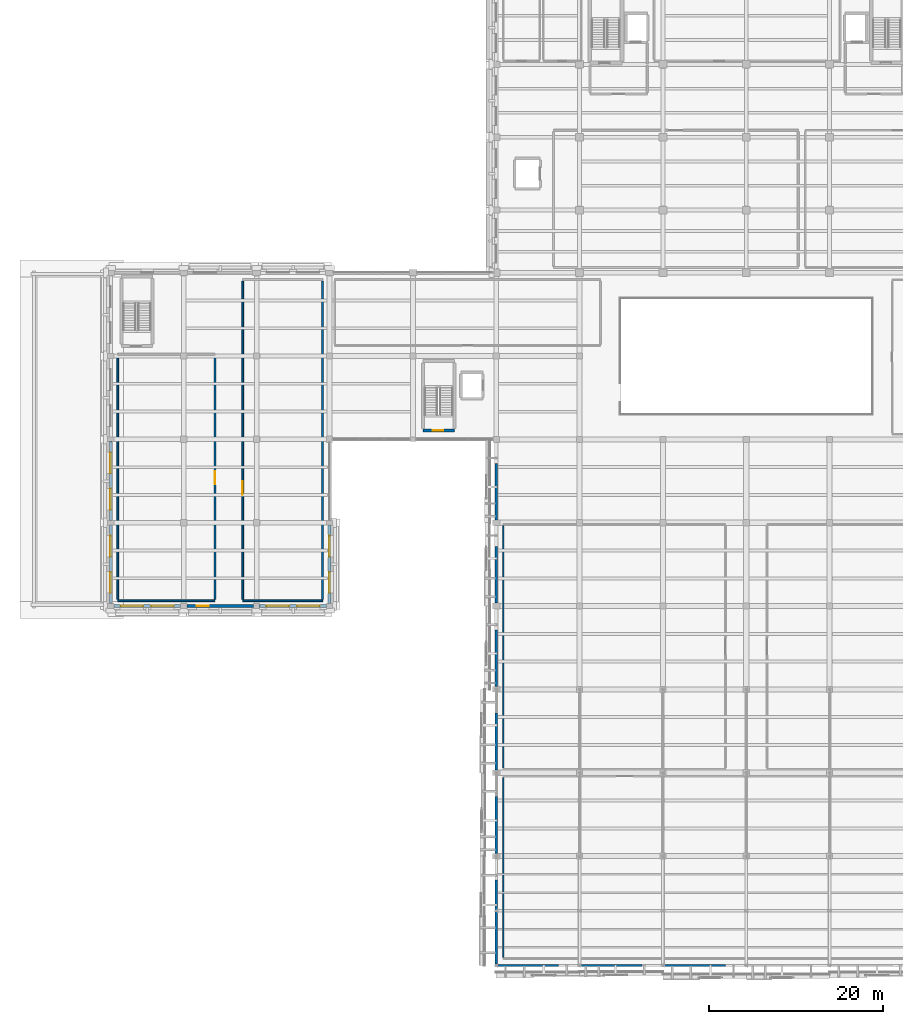
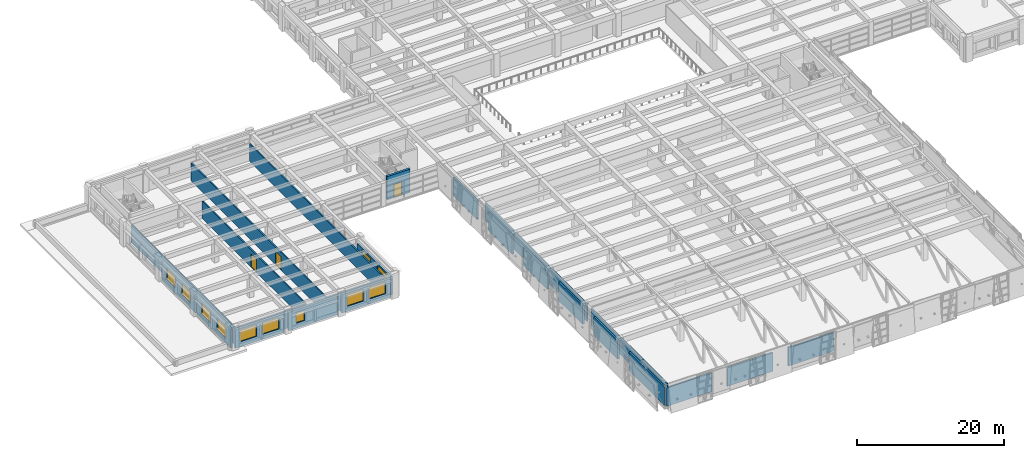
# One storey, part 43 of 62: 24 walls, 11 windows, 3 doors, 14 openings.
"""IFC4 building model written with IfcOpenShell, lengths in metres."""

from ifc_helpers import new_model, si_unit, direction, frame, frame_2d, origin, place, context, subcontext, project, spatial, rectangle, extrude, material, layer, layer_set, type_object, element, fill, save


model = new_model("IFC4")

# Units and contexts
model_context = context("Model", 3, precision=1e-05, world=origin(), true_north=direction((0.0, 1.0)))
body_context = subcontext(model_context, "Body", "Model", "MODEL_VIEW")
ifc_project = project(units=[si_unit("LENGTHUNIT", "METRE"), si_unit("AREAUNIT", "SQUARE_METRE"), si_unit("VOLUMEUNIT", "CUBIC_METRE"), si_unit("PLANEANGLEUNIT", "RADIAN"), si_unit("MASSUNIT", "GRAM", prefix="KILO")], contexts=[model_context])

# Site, building, storey
site_placement = place(None, origin())
site = spatial("IfcSite", under=ifc_project, at=site_placement, CompositionType="ELEMENT")
building_placement = place(site_placement, origin())
building = spatial("IfcBuilding", under=site, at=building_placement, Name="Bempovik Park Faculty of Sciences", CompositionType="ELEMENT")
storey_placement = place(building_placement, frame((0.0, 0.0, 9.89990234375)))
storey = spatial("IfcBuildingStorey", under=building, at=storey_placement, Name="L02", CompositionType="ELEMENT", Elevation=9.89990234375)

# Walls
ifc_material_1 = material(Name="Precast concrete C40/50", Category="concrete")
ifc_layer_1 = layer(ifc_material_1, 0.280029296875)
ifc_layer_set_1 = layer_set([ifc_layer_1], Name="Precast concrete C40/50")
wall_type_1 = type_object("IfcWallType", Name="W-25 Wall 280mm", PredefinedType="SOLIDWALL", material=ifc_layer_set_1)
wall_1_placement = place(storey_placement, frame((60.001953125, 7.199951171875, 0.0), z_axis=(0.0, 0.0, 1.0), x_axis=(1.0, 0.0, 0.0)))
element("IfcWall", 1, at=wall_1_placement, inside=storey, type_object=wall_type_1, Name="L02 Crystal Backup Wall EW-CRYS-L02-8093", PredefinedType="SOLIDWALL", context=body_context, shape_type="SweptSolid", body=[
    extrude(rectangle(XDim=7.192138671875, YDim=0.280029296875, at=frame_2d((3.59619140625, 0.0))), origin(), (0.0, 0.0, 1.0), 3.080078125),
])
wall_2_placement = place(storey_placement, frame((69.60205078125, 7.199951171875, 0.0), z_axis=(0.0, 0.0, 1.0), x_axis=(1.0, 0.0, 0.0)))
element("IfcWall", 2, at=wall_2_placement, inside=storey, type_object=wall_type_1, Name="L02 Crystal Backup Wall EW-CRYS-L02-8118", PredefinedType="SOLIDWALL", context=body_context, shape_type="SweptSolid", body=[
    extrude(rectangle(XDim=7.19189453125, YDim=0.280029296875, at=frame_2d((3.595947265625, 0.0))), origin(), (0.0, 0.0, 1.0), 3.080078125),
])
wall_3_placement = place(storey_placement, frame((79.201904296875, 7.199951171875, 0.0), z_axis=(0.0, 0.0, 1.0), x_axis=(1.0, 0.0, 0.0)))
element("IfcWall", 3, at=wall_3_placement, inside=storey, type_object=wall_type_1, Name="L02 Crystal Backup Wall EW-CRYS-L02-8143", PredefinedType="SOLIDWALL", context=body_context, shape_type="SweptSolid", body=[
    extrude(rectangle(XDim=7.192138671875, YDim=0.280029296875, at=frame_2d((3.59619140625, 0.0))), origin(), (0.0, 0.0, 1.0), 3.080078125),
])
wall_4_placement = place(storey_placement, frame((60.0, 7.344970703125, 0.0), z_axis=(0.0, 0.0, 1.0), x_axis=(0.0, 1.0, 0.0)))
element("IfcWall", 4, at=wall_4_placement, inside=storey, type_object=wall_type_1, Name="L02 Crystal Backup Wall EW-CRYS-L02-8243", PredefinedType="SOLIDWALL", context=body_context, shape_type="SweptSolid", body=[
    extrude(rectangle(XDim=9.72412109375, YDim=0.280029296875, at=frame_2d((4.862060546875, 0.0))), origin(), (0.0, 0.0, 1.0), 3.080078125),
])
for number, where, z_axis, x_axis, name in (
    (5, (60.0, 20.126953125, 0.0), (0.0, 0.0, 1.0), (0.0, 1.0, 0.0), "L02 Crystal Backup Wall EW-CRYS-L02-8268"),
    (6, (60.0, 29.72705078125, 0.0), (0.0, 0.0, 1.0), (0.0, 1.0, 0.0), "L02 Crystal Backup Wall EW-CRYS-L02-8293"),
    (7, (60.0, 39.326904296875, 0.0), (0.0, 0.0, 1.0), (0.0, 1.0, 0.0), "L02 Crystal Backup Wall EW-CRYS-L02-8318"),
    (8, (60.0, 48.927001953125, 0.0), (0.0, 0.0, 1.0), (0.0, 1.0, 0.0), "L02 Crystal Backup Wall EW-CRYS-L02-8343"),
):
    element("IfcWall", number, at=place(storey_placement, frame(where, z_axis=z_axis, x_axis=x_axis)), inside=storey, type_object=wall_type_1, Name=name, PredefinedType="SOLIDWALL", context=body_context, shape_type="SweptSolid", body=[
        extrude(rectangle(XDim=6.5419921875, YDim=0.280029296875, at=frame_2d((3.27099609375, 0.0))), origin(), (0.0, 0.0, 1.0), 3.080078125),
    ])
wall_5_placement = place(storey_placement, frame((60.0, 58.527099609375, 0.0), z_axis=(0.0, 0.0, 1.0), x_axis=(0.0, 1.0, 0.0)))
element("IfcWall", 9, at=wall_5_placement, inside=storey, type_object=wall_type_1, Name="L02 Crystal Backup Wall EW-CRYS-L02-8368", PredefinedType="SOLIDWALL", context=body_context, shape_type="SweptSolid", body=[
    extrude(rectangle(XDim=6.516845703125, YDim=0.280029296875, at=frame_2d((3.25830078125, 0.0))), origin(), (0.0, 0.0, 1.0), 3.080078125),
])
ifc_material_2 = material(Name="Gypsum acoustic stud assembly")
ifc_layer_2 = layer(ifc_material_2, 0.14990234375)
ifc_layer_set_2 = layer_set([ifc_layer_2], Name="Gypsum acoustic stud assembly")
wall_type_2 = type_object("IfcWallType", Name="W-42 Wall 150mm", PredefinedType="PARTITIONING", material=ifc_layer_set_2)
wall_6_placement = place(storey_placement, frame((60.800048828125, 8.159912109375, 0.0), z_axis=(0.0, 0.0, 1.0), x_axis=(0.0, 1.0, 0.0)))
element("IfcWall", 10, at=wall_6_placement, inside=storey, type_object=wall_type_2, Name="L02 Cantilevered Park-View Learning Commons Partition West", PredefinedType="PARTITIONING", context=body_context, shape_type="SweptSolid", body=[
    extrude(rectangle(XDim=20.68017578125, YDim=0.14990234375, at=frame_2d((10.340087890625, 0.0))), origin(), (0.0, 0.0, 1.0), 2.920166015625),
])
wall_7_placement = place(storey_placement, frame((60.800048828125, 29.9599609375, 0.0), z_axis=(0.0, 0.0, 1.0), x_axis=(0.0, 1.0, 0.0)))
element("IfcWall", 11, at=wall_7_placement, inside=storey, type_object=wall_type_2, Name="L02 Digital Science Reading Commons West Partition West", PredefinedType="PARTITIONING", context=body_context, shape_type="SweptSolid", body=[
    extrude(rectangle(XDim=27.880126953125, YDim=0.14990234375, at=frame_2d((13.93994140625, 0.0))), origin(), (0.0, 0.0, 1.0), 2.920166015625),
])

# Wall, opening, door
ifc_material_3 = material(Name="Concrete C40/50", Category="concrete")
ifc_layer_3 = layer(ifc_material_3, 0.35009765625)
ifc_layer_set_3 = layer_set([ifc_layer_3], Name="Concrete C40/50")
wall_type_3 = type_object("IfcWallType", Name="W-46 Wall 350mm", PredefinedType="SHEAR", material=ifc_layer_set_3)
wall_8_placement = place(storey_placement, frame((51.574951171875, 68.824951171875, 0.0), z_axis=(0.0, 0.0, 1.0), x_axis=(1.0, 0.0, 0.0)))
wall_8 = element("IfcWall", 12, at=wall_8_placement, inside=storey, type_object=wall_type_3, Name="ST-4 L02 Core Shear Wall South", PredefinedType="SHEAR", context=body_context, shape_type="SweptSolid", body=[
    extrude(rectangle(XDim=3.60009765625, YDim=0.35009765625, at=frame_2d((1.800048828125, 0.0))), origin(), (0.0, 0.0, 1.0), 3.900146484375),
])
opening_1_placement = place(wall_8_placement, frame((1.10009765625, 0.0, 0.0)))
opening_1 = element("IfcOpeningElement", 13, at=opening_1_placement, cuts=wall_8, Name="Opening D-49", PredefinedType="OPENING", context=body_context, shape_type="SweptSolid", body=[
    extrude(rectangle(XDim=1.199951171875, YDim=2.199951171875, at=frame_2d((0.60009765625, 1.10009765625))), frame((0.0, 0.18505859375, 0.0), z_axis=(0.0, -1.0, 0.0), x_axis=(1.0, 0.0, 0.0)), (0.0, 0.0, 1.0), 0.3701171875),
])
ifc_material_4 = material(Name="Painted steel S355", Category="steel")
door_type_1 = type_object("IfcDoorType", Name="D-49 Door 1200x2200", OperationType="NOTDEFINED", PredefinedType="DOOR", material=ifc_material_4)
door_1_placement = place(opening_1_placement, origin())
door_1 = element("IfcDoor", 14, at=door_1_placement, inside=storey, type_object=door_type_1, Name="ST-4 L02 Protected Stair Smoke Door", OperationType="SINGLE_SWING_LEFT", OverallHeight=2.199951171875, OverallWidth=1.199951171875, PredefinedType="DOOR", context=body_context, shape_type="SweptSolid", body=[
    extrude(rectangle(XDim=1.199951171875, YDim=2.199951171875, at=frame_2d((0.60009765625, 1.10009765625))), frame((0.0, 0.02490234375, 0.0), z_axis=(0.0, -1.0, 0.0), x_axis=(1.0, 0.0, 0.0)), (0.0, 0.0, 1.0), 0.050048828125),
])
fill(opening_1, door_1)

# Wall, openings, windows
ifc_layer_4 = layer(ifc_material_1, 0.320068359375)
ifc_layer_set_4 = layer_set([ifc_layer_4], Name="Precast concrete C40/50")
wall_type_4 = type_object("IfcWallType", Name="W-56 Wall 320mm", PredefinedType="SOLIDWALL", material=ifc_layer_set_4)
wall_9_placement = place(storey_placement, frame((40.800048828125, 48.8720703125, 0.0), z_axis=(0.0, 0.0, 1.0), x_axis=(0.0, 1.0, 0.0)))
wall_9 = element("IfcWall", 15, at=wall_9_placement, inside=storey, type_object=wall_type_4, Name="L02 Classical Precast Facade Wall EW-L02-7348", PredefinedType="SOLIDWALL", context=body_context, shape_type="SweptSolid", body=[
    extrude(rectangle(XDim=9.055908203125, YDim=0.320068359375, at=frame_2d((4.52783203125, 0.0))), origin(), (0.0, 0.0, 1.0), 3.080078125),
])
opening_2_placement = place(wall_9_placement, frame((1.2451171875, 0.0, 0.85009765625)))
opening_2 = element("IfcOpeningElement", 16, at=opening_2_placement, cuts=wall_9, Name="Opening WN-18", PredefinedType="OPENING", context=body_context, shape_type="SweptSolid", body=[
    extrude(rectangle(XDim=2.39990234375, YDim=1.949951171875, at=frame_2d((1.199951171875, 0.97509765625))), frame((0.0, 0.169921875, 0.0), z_axis=(0.0, -1.0, 0.0), x_axis=(1.0, 0.0, 0.0)), (0.0, 0.0, 1.0), 0.340087890625),
])
opening_3_placement = place(wall_9_placement, frame((5.410888671875, 0.0, 0.85009765625)))
opening_3 = element("IfcOpeningElement", 17, at=opening_3_placement, cuts=wall_9, Name="Opening WN-18", PredefinedType="OPENING", context=body_context, shape_type="SweptSolid", body=[
    extrude(rectangle(XDim=2.39990234375, YDim=1.949951171875, at=frame_2d((1.199951171875, 0.97509765625))), frame((0.0, 0.169921875, 0.0), z_axis=(0.0, -1.0, 0.0), x_axis=(1.0, 0.0, 0.0)), (0.0, 0.0, 1.0), 0.340087890625),
])
ifc_material_5 = material(Name="Tempered laminated low-E glass", Category="glass")
window_type_1 = type_object("IfcWindowType", Name="WN-18 Window 2400x1950", PartitioningType="SINGLE_PANEL", PredefinedType="WINDOW", material=ifc_material_5)
window_1_placement = place(opening_2_placement, origin())
window_1 = element("IfcWindow", 18, at=window_1_placement, inside=storey, type_object=window_type_1, Name="L02 Window EW-L02-7348-1", OverallHeight=1.949951171875, OverallWidth=2.39990234375, PartitioningType="SINGLE_PANEL", PredefinedType="WINDOW", context=body_context, shape_type="SweptSolid", body=[
    extrude(rectangle(XDim=2.39990234375, YDim=1.949951171875, at=frame_2d((1.199951171875, 0.97509765625))), frame((0.0, 0.030029296875, 0.0), z_axis=(0.0, -1.0, 0.0), x_axis=(1.0, 0.0, 0.0)), (0.0, 0.0, 1.0), 0.06005859375),
])
fill(opening_2, window_1)
window_2_placement = place(opening_3_placement, origin())
window_2 = element("IfcWindow", 19, at=window_2_placement, inside=storey, type_object=window_type_1, Name="L02 Window EW-L02-7348-2", OverallHeight=1.949951171875, OverallWidth=2.39990234375, PartitioningType="SINGLE_PANEL", PredefinedType="WINDOW", context=body_context, shape_type="SweptSolid", body=[
    extrude(rectangle(XDim=2.39990234375, YDim=1.949951171875, at=frame_2d((1.199951171875, 0.97509765625))), frame((0.0, 0.030029296875, 0.0), z_axis=(0.0, -1.0, 0.0), x_axis=(1.0, 0.0, 0.0)), (0.0, 0.0, 1.0), 0.06005859375),
])
fill(opening_3, window_2)

wall_10_placement = place(storey_placement, frame((15.9619140625, 48.60009765625, 0.0), z_axis=(0.0, 0.0, 1.0), x_axis=(1.0, 0.0, 0.0)))
wall_10 = element("IfcWall", 20, at=wall_10_placement, inside=storey, type_object=wall_type_4, Name="L02 Classical Precast Facade Wall EW-L02-7380", PredefinedType="SOLIDWALL", context=body_context, shape_type="SweptSolid", body=[
    extrude(rectangle(XDim=7.676025390625, YDim=0.320068359375, at=frame_2d((3.837890625, 0.0))), origin(), (0.0, 0.0, 1.0), 3.080078125),
])
opening_4_placement = place(wall_10_placement, frame((0.7724609375, 0.0, 0.85009765625)))
opening_4 = element("IfcOpeningElement", 21, at=opening_4_placement, cuts=wall_10, Name="Opening WN-43", PredefinedType="OPENING", context=body_context, shape_type="SweptSolid", body=[
    extrude(rectangle(XDim=2.60009765625, YDim=1.949951171875, at=frame_2d((1.300048828125, 0.97509765625))), frame((0.0, 0.169921875, 0.0), z_axis=(0.0, -1.0, 0.0), x_axis=(1.0, 0.0, 0.0)), (0.0, 0.0, 1.0), 0.340087890625),
])
opening_5_placement = place(wall_10_placement, frame((4.303466796875, 0.0, 0.85009765625)))
opening_5 = element("IfcOpeningElement", 22, at=opening_5_placement, cuts=wall_10, Name="Opening WN-43", PredefinedType="OPENING", context=body_context, shape_type="SweptSolid", body=[
    extrude(rectangle(XDim=2.60009765625, YDim=1.949951171875, at=frame_2d((1.300048828125, 0.97509765625))), frame((0.0, 0.169921875, 0.0), z_axis=(0.0, -1.0, 0.0), x_axis=(1.0, 0.0, 0.0)), (0.0, 0.0, 1.0), 0.340087890625),
])
window_type_2 = type_object("IfcWindowType", Name="WN-43 Window 2600x1950", PartitioningType="SINGLE_PANEL", PredefinedType="WINDOW", material=ifc_material_5)
window_3_placement = place(opening_4_placement, origin())
window_3 = element("IfcWindow", 23, at=window_3_placement, inside=storey, type_object=window_type_2, Name="L02 Window EW-L02-7380-1", OverallHeight=1.949951171875, OverallWidth=2.60009765625, PartitioningType="SINGLE_PANEL", PredefinedType="WINDOW", context=body_context, shape_type="SweptSolid", body=[
    extrude(rectangle(XDim=2.60009765625, YDim=1.949951171875, at=frame_2d((1.300048828125, 0.97509765625))), frame((0.0, 0.030029296875, 0.0), z_axis=(0.0, -1.0, 0.0), x_axis=(1.0, 0.0, 0.0)), (0.0, 0.0, 1.0), 0.06005859375),
])
fill(opening_4, window_3)
window_4_placement = place(opening_5_placement, origin())
window_4 = element("IfcWindow", 24, at=window_4_placement, inside=storey, type_object=window_type_2, Name="L02 Window EW-L02-7380-2", OverallHeight=1.949951171875, OverallWidth=2.60009765625, PartitioningType="SINGLE_PANEL", PredefinedType="WINDOW", context=body_context, shape_type="SweptSolid", body=[
    extrude(rectangle(XDim=2.60009765625, YDim=1.949951171875, at=frame_2d((1.300048828125, 0.97509765625))), frame((0.0, 0.030029296875, 0.0), z_axis=(0.0, -1.0, 0.0), x_axis=(1.0, 0.0, 0.0)), (0.0, 0.0, 1.0), 0.06005859375),
])
fill(opening_5, window_4)

# Wall, opening, window
wall_11_placement = place(storey_placement, frame((24.362060546875, 48.60009765625, 0.0), z_axis=(0.0, 0.0, 1.0), x_axis=(1.0, 0.0, 0.0)))
wall_11 = element("IfcWall", 25, at=wall_11_placement, inside=storey, type_object=wall_type_4, Name="L02 Classical Precast Facade Wall EW-L02-7394", PredefinedType="SOLIDWALL", context=body_context, shape_type="SweptSolid", body=[
    extrude(rectangle(XDim=7.676025390625, YDim=0.320068359375, at=frame_2d((3.837890625, 0.0))), origin(), (0.0, 0.0, 1.0), 3.080078125),
])
opening_6_placement = place(wall_11_placement, frame((1.14208984375, 0.0, 0.85009765625)))
opening_6 = element("IfcOpeningElement", 26, at=opening_6_placement, cuts=wall_11, Name="Opening WN-84", PredefinedType="OPENING", context=body_context, shape_type="SweptSolid", body=[
    extrude(rectangle(XDim=1.39990234375, YDim=1.64990234375, at=frame_2d((0.699951171875, 0.824951171875))), frame((0.0, 0.169921875, 0.0), z_axis=(0.0, -1.0, 0.0), x_axis=(1.0, 0.0, 0.0)), (0.0, 0.0, 1.0), 0.340087890625),
])
window_type_3 = type_object("IfcWindowType", Name="WN-84 Window 1400x1650", PartitioningType="SINGLE_PANEL", PredefinedType="WINDOW", material=ifc_material_5)
window_5_placement = place(opening_6_placement, origin())
window_5 = element("IfcWindow", 27, at=window_5_placement, inside=storey, type_object=window_type_3, Name="L02 Window EW-L02-7394-FB", OverallHeight=1.64990234375, OverallWidth=1.39990234375, PartitioningType="SINGLE_PANEL", PredefinedType="WINDOW", context=body_context, shape_type="SweptSolid", body=[
    extrude(rectangle(XDim=1.39990234375, YDim=1.64990234375, at=frame_2d((0.699951171875, 0.824951171875))), frame((0.0, 0.030029296875, 0.0), z_axis=(0.0, -1.0, 0.0), x_axis=(1.0, 0.0, 0.0)), (0.0, 0.0, 1.0), 0.06005859375),
])
fill(opening_6, window_5)

# Wall, openings, windows
wall_12_placement = place(storey_placement, frame((32.761962890625, 48.60009765625, 0.0), z_axis=(0.0, 0.0, 1.0), x_axis=(1.0, 0.0, 0.0)))
wall_12 = element("IfcWall", 28, at=wall_12_placement, inside=storey, type_object=wall_type_4, Name="L02 Classical Precast Facade Wall EW-L02-7405", PredefinedType="SOLIDWALL", context=body_context, shape_type="SweptSolid", body=[
    extrude(rectangle(XDim=7.676025390625, YDim=0.320068359375, at=frame_2d((3.837890625, 0.0))), origin(), (0.0, 0.0, 1.0), 3.080078125),
])
opening_7_placement = place(wall_12_placement, frame((0.7724609375, 0.0, 0.85009765625)))
opening_7 = element("IfcOpeningElement", 29, at=opening_7_placement, cuts=wall_12, Name="Opening WN-43", PredefinedType="OPENING", context=body_context, shape_type="SweptSolid", body=[
    extrude(rectangle(XDim=2.60009765625, YDim=1.949951171875, at=frame_2d((1.300048828125, 0.97509765625))), frame((0.0, 0.169921875, 0.0), z_axis=(0.0, -1.0, 0.0), x_axis=(1.0, 0.0, 0.0)), (0.0, 0.0, 1.0), 0.340087890625),
])
opening_8_placement = place(wall_12_placement, frame((4.303466796875, 0.0, 0.85009765625)))
opening_8 = element("IfcOpeningElement", 30, at=opening_8_placement, cuts=wall_12, Name="Opening WN-43", PredefinedType="OPENING", context=body_context, shape_type="SweptSolid", body=[
    extrude(rectangle(XDim=2.60009765625, YDim=1.949951171875, at=frame_2d((1.300048828125, 0.97509765625))), frame((0.0, 0.169921875, 0.0), z_axis=(0.0, -1.0, 0.0), x_axis=(1.0, 0.0, 0.0)), (0.0, 0.0, 1.0), 0.340087890625),
])
window_6_placement = place(opening_7_placement, origin())
window_6 = element("IfcWindow", 31, at=window_6_placement, inside=storey, type_object=window_type_2, Name="L02 Window EW-L02-7405-1", OverallHeight=1.949951171875, OverallWidth=2.60009765625, PartitioningType="SINGLE_PANEL", PredefinedType="WINDOW", context=body_context, shape_type="SweptSolid", body=[
    extrude(rectangle(XDim=2.60009765625, YDim=1.949951171875, at=frame_2d((1.300048828125, 0.97509765625))), frame((0.0, 0.030029296875, 0.0), z_axis=(0.0, -1.0, 0.0), x_axis=(1.0, 0.0, 0.0)), (0.0, 0.0, 1.0), 0.06005859375),
])
fill(opening_7, window_6)
window_7_placement = place(opening_8_placement, origin())
window_7 = element("IfcWindow", 32, at=window_7_placement, inside=storey, type_object=window_type_2, Name="L02 Window EW-L02-7405-2", OverallHeight=1.949951171875, OverallWidth=2.60009765625, PartitioningType="SINGLE_PANEL", PredefinedType="WINDOW", context=body_context, shape_type="SweptSolid", body=[
    extrude(rectangle(XDim=2.60009765625, YDim=1.949951171875, at=frame_2d((1.300048828125, 0.97509765625))), frame((0.0, 0.030029296875, 0.0), z_axis=(0.0, -1.0, 0.0), x_axis=(1.0, 0.0, 0.0)), (0.0, 0.0, 1.0), 0.06005859375),
])
fill(opening_8, window_7)

wall_13_placement = place(storey_placement, frame((15.60009765625, 48.8720703125, 0.0), z_axis=(0.0, 0.0, 1.0), x_axis=(0.0, 1.0, 0.0)))
wall_13 = element("IfcWall", 33, at=wall_13_placement, inside=storey, type_object=wall_type_4, Name="L02 Classical Precast Facade Wall EW-L02-7418", PredefinedType="SOLIDWALL", context=body_context, shape_type="SweptSolid", body=[
    extrude(rectangle(XDim=9.055908203125, YDim=0.320068359375, at=frame_2d((4.52783203125, 0.0))), origin(), (0.0, 0.0, 1.0), 3.080078125),
])
opening_9_placement = place(wall_13_placement, frame((1.2451171875, 0.0, 0.85009765625)))
opening_9 = element("IfcOpeningElement", 34, at=opening_9_placement, cuts=wall_13, Name="Opening WN-18", PredefinedType="OPENING", context=body_context, shape_type="SweptSolid", body=[
    extrude(rectangle(XDim=2.39990234375, YDim=1.949951171875, at=frame_2d((1.199951171875, 0.97509765625))), frame((0.0, 0.169921875, 0.0), z_axis=(0.0, -1.0, 0.0), x_axis=(1.0, 0.0, 0.0)), (0.0, 0.0, 1.0), 0.340087890625),
])
opening_10_placement = place(wall_13_placement, frame((5.410888671875, 0.0, 0.85009765625)))
opening_10 = element("IfcOpeningElement", 35, at=opening_10_placement, cuts=wall_13, Name="Opening WN-18", PredefinedType="OPENING", context=body_context, shape_type="SweptSolid", body=[
    extrude(rectangle(XDim=2.39990234375, YDim=1.949951171875, at=frame_2d((1.199951171875, 0.97509765625))), frame((0.0, 0.169921875, 0.0), z_axis=(0.0, -1.0, 0.0), x_axis=(1.0, 0.0, 0.0)), (0.0, 0.0, 1.0), 0.340087890625),
])
window_8_placement = place(opening_9_placement, origin())
window_8 = element("IfcWindow", 36, at=window_8_placement, inside=storey, type_object=window_type_1, Name="L02 Window EW-L02-7418-1", OverallHeight=1.949951171875, OverallWidth=2.39990234375, PartitioningType="SINGLE_PANEL", PredefinedType="WINDOW", context=body_context, shape_type="SweptSolid", body=[
    extrude(rectangle(XDim=2.39990234375, YDim=1.949951171875, at=frame_2d((1.199951171875, 0.97509765625))), frame((0.0, 0.030029296875, 0.0), z_axis=(0.0, -1.0, 0.0), x_axis=(1.0, 0.0, 0.0)), (0.0, 0.0, 1.0), 0.06005859375),
])
fill(opening_9, window_8)
window_9_placement = place(opening_10_placement, origin())
window_9 = element("IfcWindow", 37, at=window_9_placement, inside=storey, type_object=window_type_1, Name="L02 Window EW-L02-7418-2", OverallHeight=1.949951171875, OverallWidth=2.39990234375, PartitioningType="SINGLE_PANEL", PredefinedType="WINDOW", context=body_context, shape_type="SweptSolid", body=[
    extrude(rectangle(XDim=2.39990234375, YDim=1.949951171875, at=frame_2d((1.199951171875, 0.97509765625))), frame((0.0, 0.030029296875, 0.0), z_axis=(0.0, -1.0, 0.0), x_axis=(1.0, 0.0, 0.0)), (0.0, 0.0, 1.0), 0.06005859375),
])
fill(opening_10, window_9)

wall_14_placement = place(storey_placement, frame((15.60009765625, 58.471923828125, 0.0), z_axis=(0.0, 0.0, 1.0), x_axis=(0.0, 1.0, 0.0)))
wall_14 = element("IfcWall", 38, at=wall_14_placement, inside=storey, type_object=wall_type_4, Name="L02 Classical Precast Facade Wall EW-L02-7432", PredefinedType="SOLIDWALL", context=body_context, shape_type="SweptSolid", body=[
    extrude(rectangle(XDim=9.05615234375, YDim=0.320068359375, at=frame_2d((4.528076171875, 0.0))), origin(), (0.0, 0.0, 1.0), 3.080078125),
])
opening_11_placement = place(wall_14_placement, frame((1.2451171875, 0.0, 0.85009765625)))
opening_11 = element("IfcOpeningElement", 39, at=opening_11_placement, cuts=wall_14, Name="Opening WN-18", PredefinedType="OPENING", context=body_context, shape_type="SweptSolid", body=[
    extrude(rectangle(XDim=2.39990234375, YDim=1.949951171875, at=frame_2d((1.199951171875, 0.97509765625))), frame((0.0, 0.169921875, 0.0), z_axis=(0.0, -1.0, 0.0), x_axis=(1.0, 0.0, 0.0)), (0.0, 0.0, 1.0), 0.340087890625),
])
opening_12_placement = place(wall_14_placement, frame((5.410888671875, 0.0, 0.85009765625)))
opening_12 = element("IfcOpeningElement", 40, at=opening_12_placement, cuts=wall_14, Name="Opening WN-18", PredefinedType="OPENING", context=body_context, shape_type="SweptSolid", body=[
    extrude(rectangle(XDim=2.39990234375, YDim=1.949951171875, at=frame_2d((1.199951171875, 0.97509765625))), frame((0.0, 0.169921875, 0.0), z_axis=(0.0, -1.0, 0.0), x_axis=(1.0, 0.0, 0.0)), (0.0, 0.0, 1.0), 0.340087890625),
])
window_10_placement = place(opening_11_placement, origin())
window_10 = element("IfcWindow", 41, at=window_10_placement, inside=storey, type_object=window_type_1, Name="L02 Window EW-L02-7432-1", OverallHeight=1.949951171875, OverallWidth=2.39990234375, PartitioningType="SINGLE_PANEL", PredefinedType="WINDOW", context=body_context, shape_type="SweptSolid", body=[
    extrude(rectangle(XDim=2.39990234375, YDim=1.949951171875, at=frame_2d((1.199951171875, 0.97509765625))), frame((0.0, 0.030029296875, 0.0), z_axis=(0.0, -1.0, 0.0), x_axis=(1.0, 0.0, 0.0)), (0.0, 0.0, 1.0), 0.06005859375),
])
fill(opening_11, window_10)
window_11_placement = place(opening_12_placement, origin())
window_11 = element("IfcWindow", 42, at=window_11_placement, inside=storey, type_object=window_type_1, Name="L02 Window EW-L02-7432-2", OverallHeight=1.949951171875, OverallWidth=2.39990234375, PartitioningType="SINGLE_PANEL", PredefinedType="WINDOW", context=body_context, shape_type="SweptSolid", body=[
    extrude(rectangle(XDim=2.39990234375, YDim=1.949951171875, at=frame_2d((1.199951171875, 0.97509765625))), frame((0.0, 0.030029296875, 0.0), z_axis=(0.0, -1.0, 0.0), x_axis=(1.0, 0.0, 0.0)), (0.0, 0.0, 1.0), 0.06005859375),
])
fill(opening_12, window_11)

# Walls
ifc_material_6 = material(Name="Concrete C35/45", Category="concrete")
ifc_layer_5 = layer(ifc_material_6, 0.199951171875)
ifc_layer_set_5 = layer_set([ifc_layer_5], Name="Concrete C35/45")
wall_type_5 = type_object("IfcWallType", Name="W-59 Wall 200mm", PredefinedType="PARTITIONING", material=ifc_layer_set_5)
wall_15_placement = place(storey_placement, frame((16.39990234375, 49.199951171875, 0.0), z_axis=(0.0, 0.0, 1.0), x_axis=(1.0, 0.0, 0.0)))
element("IfcWall", 43, at=wall_15_placement, inside=storey, type_object=wall_type_5, Name="L02 Microbiology Teaching Laboratory Partition South", PredefinedType="PARTITIONING", context=body_context, shape_type="SweptSolid", body=[
    extrude(rectangle(XDim=11.2001953125, YDim=0.199951171875, at=frame_2d((5.60009765625, 0.0))), origin(), (0.0, 0.0, 1.0), 2.920166015625),
])
wall_16_placement = place(storey_placement, frame((16.39990234375, 49.360107421875, 0.0), z_axis=(0.0, 0.0, 1.0), x_axis=(0.0, 1.0, 0.0)))
element("IfcWall", 44, at=wall_16_placement, inside=storey, type_object=wall_type_5, Name="L02 Microbiology Teaching Laboratory Partition West", PredefinedType="PARTITIONING", context=body_context, shape_type="SweptSolid", body=[
    extrude(rectangle(XDim=28.079833984375, YDim=0.199951171875, at=frame_2d((14.0400390625, 0.0))), origin(), (0.0, 0.0, 1.0), 2.920166015625),
])

# Wall, opening, door
wall_17_placement = place(storey_placement, frame((27.60009765625, 49.360107421875, 0.0), z_axis=(0.0, 0.0, 1.0), x_axis=(0.0, 1.0, 0.0)))
wall_17 = element("IfcWall", 45, at=wall_17_placement, inside=storey, type_object=wall_type_5, Name="L02 Microbiology Teaching Laboratory Partition East", PredefinedType="PARTITIONING", context=body_context, shape_type="SweptSolid", body=[
    extrude(rectangle(XDim=28.079833984375, YDim=0.199951171875, at=frame_2d((14.0400390625, 0.0))), origin(), (0.0, 0.0, 1.0), 2.920166015625),
])
opening_13_placement = place(wall_17_placement, frame((13.2900390625, 0.0, 0.0)))
opening_13 = element("IfcOpeningElement", 46, at=opening_13_placement, cuts=wall_17, Name="Opening D-22", PredefinedType="OPENING", context=body_context, shape_type="SweptSolid", body=[
    extrude(rectangle(XDim=1.5, YDim=2.199951171875, at=frame_2d((0.75, 1.10009765625))), frame((0.0, 0.10986328125, 0.0), z_axis=(0.0, -1.0, 0.0), x_axis=(1.0, 0.0, 0.0)), (0.0, 0.0, 1.0), 0.219970703125),
])
ifc_material_7 = material(Name="West African hardwood finish", Category="wood")
door_type_2 = type_object("IfcDoorType", Name="D-22 Door 1500x2200", OperationType="NOTDEFINED", PredefinedType="DOOR", material=ifc_material_7)
door_2_placement = place(opening_13_placement, origin())
door_2 = element("IfcDoor", 47, at=door_2_placement, inside=storey, type_object=door_type_2, Name="L02 Microbiology Teaching Laboratory Door", OperationType="SINGLE_SWING_RIGHT", OverallHeight=2.199951171875, OverallWidth=1.5, PredefinedType="DOOR", context=body_context, shape_type="SweptSolid", body=[
    extrude(rectangle(XDim=1.5, YDim=2.199951171875, at=frame_2d((0.75, 1.10009765625))), frame((0.0, 0.02490234375, 0.0), z_axis=(0.0, -1.0, 0.0), x_axis=(1.0, 0.0, 0.0)), (0.0, 0.0, 1.0), 0.050048828125),
])
fill(opening_13, door_2)

# Wall
wall_18_placement = place(storey_placement, frame((30.800048828125, 49.199951171875, 0.0), z_axis=(0.0, 0.0, 1.0), x_axis=(1.0, 0.0, 0.0)))
element("IfcWall", 48, at=wall_18_placement, inside=storey, type_object=wall_type_5, Name="L02 Molecular Genetics Teaching Laboratory Partition South", PredefinedType="PARTITIONING", context=body_context, shape_type="SweptSolid", body=[
    extrude(rectangle(XDim=9.199951171875, YDim=0.199951171875, at=frame_2d((4.60009765625, 0.0))), origin(), (0.0, 0.0, 1.0), 2.920166015625),
])

# Wall, opening, door
wall_19_placement = place(storey_placement, frame((30.800048828125, 49.360107421875, 0.0), z_axis=(0.0, 0.0, 1.0), x_axis=(0.0, 1.0, 0.0)))
wall_19 = element("IfcWall", 49, at=wall_19_placement, inside=storey, type_object=wall_type_5, Name="L02 Molecular Genetics Teaching Laboratory Partition West", PredefinedType="PARTITIONING", context=body_context, shape_type="SweptSolid", body=[
    extrude(rectangle(XDim=36.679931640625, YDim=0.199951171875, at=frame_2d((18.33984375, 0.0))), origin(), (0.0, 0.0, 1.0), 2.920166015625),
])
opening_14_placement = place(wall_19_placement, frame((12.087890625, 0.0, 0.0)))
opening_14 = element("IfcOpeningElement", 50, at=opening_14_placement, cuts=wall_19, Name="Opening D-22", PredefinedType="OPENING", context=body_context, shape_type="SweptSolid", body=[
    extrude(rectangle(XDim=1.5, YDim=2.199951171875, at=frame_2d((0.75, 1.10009765625))), frame((0.0, 0.10986328125, 0.0), z_axis=(0.0, -1.0, 0.0), x_axis=(1.0, 0.0, 0.0)), (0.0, 0.0, 1.0), 0.219970703125),
])
door_3_placement = place(opening_14_placement, origin())
door_3 = element("IfcDoor", 51, at=door_3_placement, inside=storey, type_object=door_type_2, Name="L02 Molecular Genetics Teaching Laboratory Door", OperationType="SINGLE_SWING_LEFT", OverallHeight=2.199951171875, OverallWidth=1.5, PredefinedType="DOOR", context=body_context, shape_type="SweptSolid", body=[
    extrude(rectangle(XDim=1.5, YDim=2.199951171875, at=frame_2d((0.75, 1.10009765625))), frame((0.0, 0.02490234375, 0.0), z_axis=(0.0, -1.0, 0.0), x_axis=(1.0, 0.0, 0.0)), (0.0, 0.0, 1.0), 0.050048828125),
])
fill(opening_14, door_3)

# Wall
wall_20_placement = place(storey_placement, frame((40.0, 49.360107421875, 0.0), z_axis=(0.0, 0.0, 1.0), x_axis=(0.0, 1.0, 0.0)))
element("IfcWall", 52, at=wall_20_placement, inside=storey, type_object=wall_type_5, Name="L02 Molecular Genetics Teaching Laboratory Partition East", PredefinedType="PARTITIONING", context=body_context, shape_type="SweptSolid", body=[
    extrude(rectangle(XDim=36.679931640625, YDim=0.199951171875, at=frame_2d((18.33984375, 0.0))), origin(), (0.0, 0.0, 1.0), 2.920166015625),
])

save(model, "model.ifc")
